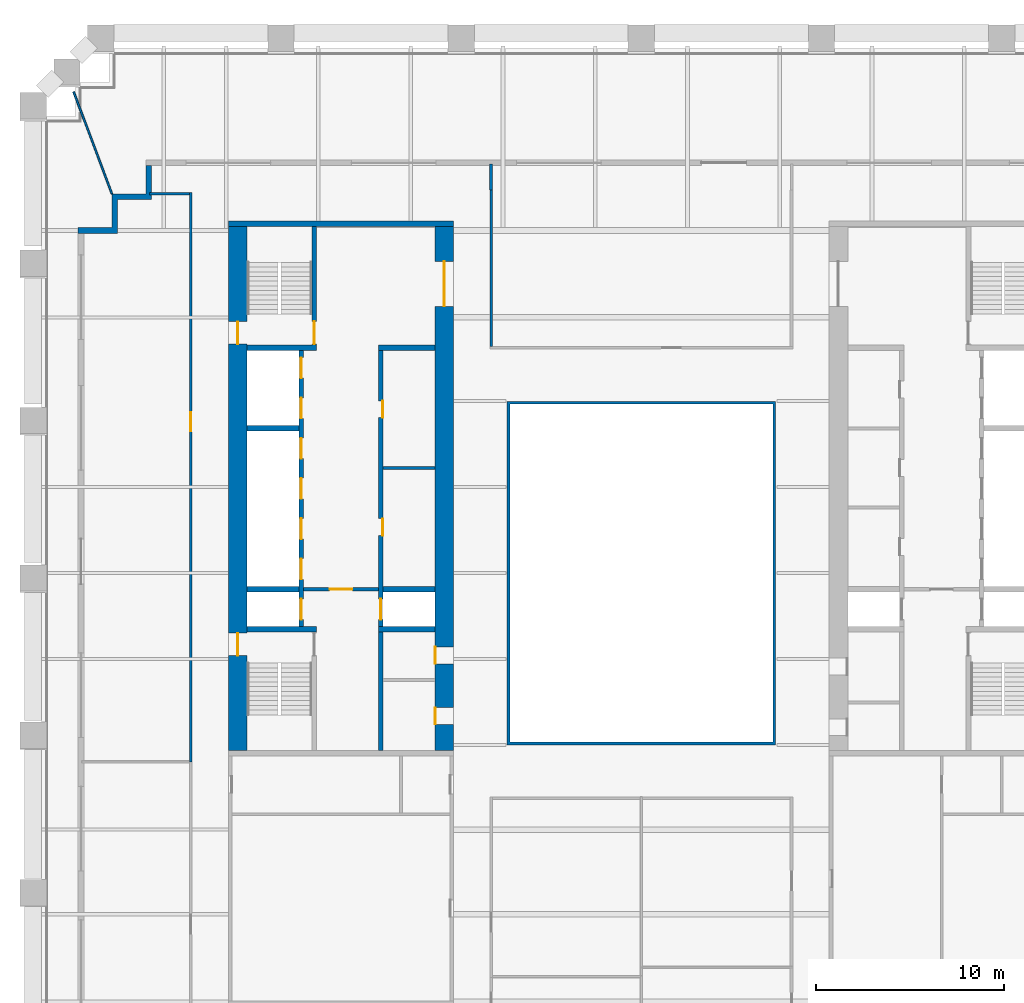
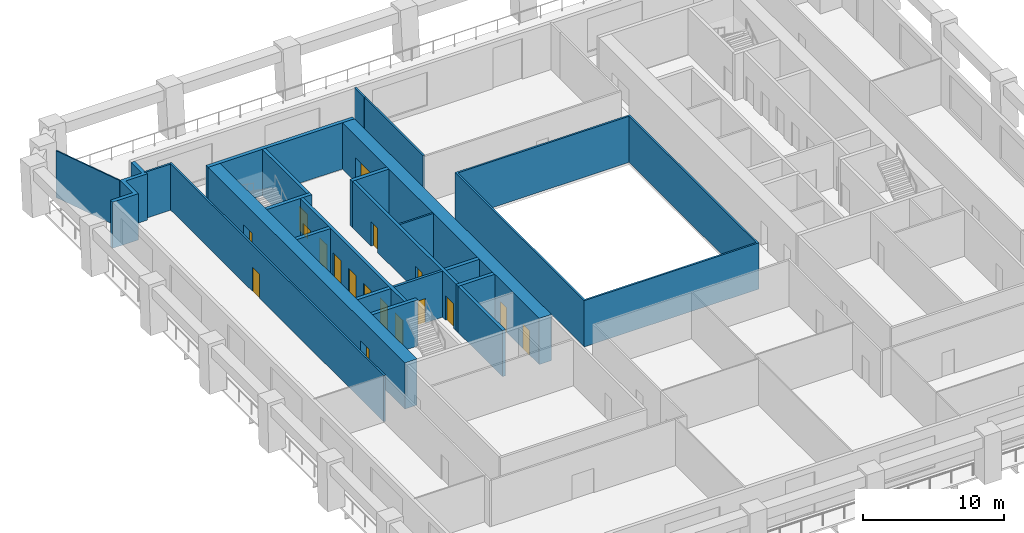
# One storey, part 5 of 8: 22 walls, 18 doors, 18 openings.
"""IFC4 building model written with IfcOpenShell, lengths in metres."""

import ifcopenshell
import ifcopenshell.guid

model = None  # the IFC model being written
_history = None  # IfcOwnerHistory: only IFC2X3 demands one
_inside = {}  # id of a spatial element -> (the spatial element, [elements in it])
_under = {}  # id of a project, library or spatial element -> (it, [spatial elements below it])
_declared = {}  # id of a project -> (the project, [libraries it declares])
_typed = {}  # id of a type object -> (the type object, [elements of that type])
_made_of = {}  # id of a material, layer set ... -> (it, [elements and type objects made of it])


def new_model(schema):
    """Start an empty IFC model of exactly this schema.

    Asked for "IFC4X3", IfcOpenShell would pick the latest addendum, in which some entities
    have other attributes; the version numbers below select the first issue.
    IFC2X3 requires an IfcOwnerHistory on every rooted entity: one is made here for all.
    """
    global model, _history
    if schema == "IFC4X3":
        model = ifcopenshell.file(schema_version=(4, 3, 0, 0))
    else:
        model = ifcopenshell.file(schema=schema)
    _inside.clear()
    _under.clear()
    _declared.clear()
    _typed.clear()
    _made_of.clear()
    _history = None
    if model.schema == "IFC2X3":
        org = make("IfcOrganization", Name="unknown")
        user = make(
            "IfcPersonAndOrganization",
            ThePerson=make("IfcPerson", FamilyName="unknown"),
            TheOrganization=org,
        )
        app = make(
            "IfcApplication",
            ApplicationDeveloper=org,
            Version="unknown",
            ApplicationFullName="unknown",
            ApplicationIdentifier="unknown",
        )
        _history = make(
            "IfcOwnerHistory",
            OwningUser=user,
            OwningApplication=app,
            ChangeAction="ADDED",
            CreationDate=0,
        )
    return model


def make(cls, **values):
    """One entity of the class cls with the attributes given. An attribute that is None is left unset."""
    return model.create_entity(
        cls, **{name: value for name, value in values.items() if value is not None}
    )


def rooted(cls, **values):
    """An entity with a GlobalId (a new one), such as an element, a storey or a relation."""
    return make(cls, GlobalId=ifcopenshell.guid.new(), OwnerHistory=_history, **values)


def si_unit(unit_type, name, prefix=None):
    """IfcSIUnit, for example si_unit("LENGTHUNIT", "METRE", prefix="MILLI")."""
    return make("IfcSIUnit", UnitType=unit_type, Prefix=prefix, Name=name)


def assignment(units):
    """IfcUnitAssignment: the units of a project."""
    return None if units is None else make("IfcUnitAssignment", Units=units)


def point(xyz):
    """IfcCartesianPoint."""
    return None if xyz is None else make("IfcCartesianPoint", Coordinates=xyz)


def direction(xyz):
    """IfcDirection."""
    return None if xyz is None else make("IfcDirection", DirectionRatios=xyz)


def frame(location, z_axis=None, x_axis=None):
    """IfcAxis2Placement3D, a coordinate frame: its origin and axes. An axis left out is left unset."""
    return make(
        "IfcAxis2Placement3D",
        Location=point(location),
        Axis=direction(z_axis),
        RefDirection=direction(x_axis),
    )


def frame_2d(location, x_axis=None):
    """IfcAxis2Placement2D, a coordinate frame in the plane: its origin and x axis."""
    return make(
        "IfcAxis2Placement2D", Location=point(location), RefDirection=direction(x_axis)
    )


def origin():
    """The frame at (0, 0, 0) with its axes left unset."""
    return frame((0.0, 0.0, 0.0))


def place(relative_to, where):
    """IfcLocalPlacement: puts the frame where relative to a parent placement (None: the world)."""
    return make(
        "IfcLocalPlacement", PlacementRelTo=relative_to, RelativePlacement=where
    )


def context(
    kind, dimensions, precision=None, world=None, true_north=None, identifier=None
):
    """IfcGeometricRepresentationContext, for example the 3D "Model" context."""
    return make(
        "IfcGeometricRepresentationContext",
        ContextIdentifier=identifier,
        ContextType=kind,
        CoordinateSpaceDimension=dimensions,
        Precision=precision,
        WorldCoordinateSystem=world,
        TrueNorth=true_north,
    )


def subcontext(parent, identifier, kind, view, scale=None):
    """IfcGeometricRepresentationSubContext, for example "Body" below "Model"."""
    return make(
        "IfcGeometricRepresentationSubContext",
        ContextIdentifier=identifier,
        ContextType=kind,
        ParentContext=parent,
        TargetScale=scale,
        TargetView=view,
    )


def project(units=None, contexts=None):
    """IfcProject with its units and contexts."""
    return rooted(
        "IfcProject",
        Name="project",
        RepresentationContexts=contexts,
        UnitsInContext=assignment(units),
    )


def spatial(cls, under=None, at=None, **own):
    """A site, building, storey or space (cls), placed at a placement, below another one or the project."""
    s = rooted(cls, ObjectPlacement=at, **own)
    if under is not None:
        _under.setdefault(under.id(), (under, []))[1].append(s)
    return s


def polyline(points):
    """IfcPolyline through the points."""
    return make("IfcPolyline", Points=[point(p) for p in points])


def profile(cls, at=None, kind="AREA", **sizes):
    """A parametric profile (cls). Its sizes go by their IFC names, for example OverallWidth=200.0."""
    return make(cls, ProfileType=kind, Position=at, **sizes)


def rectangle(**sizes):
    """IfcRectangleProfileDef."""
    return profile("IfcRectangleProfileDef", **sizes)


def outline(outer, holes=None, kind="AREA"):
    """IfcArbitraryClosedProfileDef: a profile drawn as a closed curve; with holes, ...WithVoids."""
    if holes is None:
        return make("IfcArbitraryClosedProfileDef", ProfileType=kind, OuterCurve=outer)
    return make(
        "IfcArbitraryProfileDefWithVoids",
        ProfileType=kind,
        OuterCurve=outer,
        InnerCurves=holes,
    )


def extrude(swept, where, along, depth):
    """IfcExtrudedAreaSolid: the profile swept, set in the frame where, extruded along a direction by depth."""
    return make(
        "IfcExtrudedAreaSolid",
        SweptArea=swept,
        Position=where,
        ExtrudedDirection=direction(along),
        Depth=depth,
    )


def shape(context_of_items, identifier, shape_type, items):
    """IfcShapeRepresentation: the items that make up one representation, for example the "Body"."""
    return make(
        "IfcShapeRepresentation",
        ContextOfItems=context_of_items,
        RepresentationIdentifier=identifier,
        RepresentationType=shape_type,
        Items=items,
    )


def material(Name=None, Category=None):
    """IfcMaterial."""
    return make("IfcMaterial", Name=Name, Category=Category)


def layer(
    of_material, thickness, ventilated=None, Name=None, Category=None, Priority=None
):
    """IfcMaterialLayer: one layer of a wall or slab, of a material (None: an air gap)."""
    return make(
        "IfcMaterialLayer",
        Material=of_material,
        LayerThickness=thickness,
        IsVentilated=ventilated,
        Name=Name,
        Category=Category,
        Priority=Priority,
    )


def layer_set(layers, Name=None):
    """IfcMaterialLayerSet."""
    return make("IfcMaterialLayerSet", MaterialLayers=layers, LayerSetName=Name)


def made_of(thing, what):
    """Note that an element or type object is made of a material, layer set ...; save() writes the relation."""
    if what is not None:
        _made_of.setdefault(what.id(), (what, []))[1].append(thing)
    return thing


def type_object(cls, material=None, **own):
    """A type object (cls), such as IfcWallType, which elements share."""
    return made_of(rooted(cls, **own), material)


def element(
    cls,
    number,
    at=None,
    inside=None,
    cuts=None,
    type_object=None,
    material=None,
    context=None,
    identifier="Body",
    shape_type=None,
    held_by="IfcProductDefinitionShape",
    body=None,
    shapes=None,
    **own,
):
    """One element of the class cls, such as IfcWall. Its Tag is "e" and its number.

    at: its placement. inside: the storey or other place that contains it. cuts: it is an
    opening in that element (IfcRelVoidsElement). A single representation is given by context,
    identifier, shape_type and body (its items); several are given by shapes. held_by: the class
    of the entity that holds the representations. save() writes the other relations.
    """
    e = rooted(cls, Tag="e%d" % number, ObjectPlacement=at, **own)
    if body is not None:
        shapes = [shape(context, identifier, shape_type, body)]
    if shapes is not None:
        e.Representation = make(held_by, Representations=shapes)
    if inside is not None:
        _inside.setdefault(inside.id(), (inside, []))[1].append(e)
    if cuts is not None:
        rooted(
            "IfcRelVoidsElement", RelatingBuildingElement=cuts, RelatedOpeningElement=e
        )
    if type_object is not None:
        _typed.setdefault(type_object.id(), (type_object, []))[1].append(e)
    return made_of(e, material)


def fill(opening, filler):
    """IfcRelFillsElement: the door or window that sits in an opening."""
    return rooted(
        "IfcRelFillsElement",
        RelatingOpeningElement=opening,
        RelatedBuildingElement=filler,
    )


def aggregate(whole, parts):
    """IfcRelAggregates: a whole, such as a stair, and the parts it consists of."""
    return rooted("IfcRelAggregates", RelatingObject=whole, RelatedObjects=parts)


def save(model, path):
    """Write the relations noted so far, then the file.

    IfcRelAggregates (storeys below a building ...), IfcRelContainedInSpatialStructure (elements
    in a storey), IfcRelDefinesByType, IfcRelAssociatesMaterial and IfcRelDeclares: one each for
    every whole, place, type object, material and project.
    """
    for whole, parts in _under.values():
        aggregate(whole, parts)
    for where, things in _inside.values():
        rooted(
            "IfcRelContainedInSpatialStructure",
            RelatedElements=things,
            RelatingStructure=where,
        )
    for kind, things in _typed.values():
        rooted("IfcRelDefinesByType", RelatedObjects=things, RelatingType=kind)
    for what, things in _made_of.values():
        rooted("IfcRelAssociatesMaterial", RelatedObjects=things, RelatingMaterial=what)
    for by, libraries in _declared.values():
        rooted("IfcRelDeclares", RelatingContext=by, RelatedDefinitions=libraries)
    model.write(path)


model = new_model("IFC4")

# Units and contexts
model_context = context("Model", 3, precision=1e-05, world=origin(), true_north=direction((0.0, 1.0)))
body_context = subcontext(model_context, "Body", "Model", "MODEL_VIEW")
ifc_project = project(units=[si_unit("LENGTHUNIT", "METRE"), si_unit("AREAUNIT", "SQUARE_METRE"), si_unit("VOLUMEUNIT", "CUBIC_METRE"), si_unit("PLANEANGLEUNIT", "RADIAN"), si_unit("MASSUNIT", "GRAM", prefix="KILO")], contexts=[model_context])

# Site, building, storey
site_placement = place(None, origin())
site = spatial("IfcSite", under=ifc_project, at=site_placement, CompositionType="ELEMENT")
building_placement = place(site_placement, origin())
building = spatial("IfcBuilding", under=site, at=building_placement, Name="Ogive Exchange Tower", CompositionType="ELEMENT")
storey_placement = place(building_placement, frame((0.0, 0.0, 77.39990234375)))
storey = spatial("IfcBuildingStorey", under=building, at=storey_placement, Name="L16", CompositionType="ELEMENT", Elevation=77.39990234375)

# Walls
ifc_material_1 = material(Name="Gypsum board partition")
ifc_layer_1 = layer(ifc_material_1, 0.14990234375)
ifc_layer_set_1 = layer_set([ifc_layer_1], Name="Core room partition 150 gypsum")
wall_type_1 = type_object("IfcWallType", Name="Core room partition 150 gypsum", PredefinedType="PARTITIONING", material=ifc_layer_set_1)
wall_1_placement = place(storey_placement, frame((-13.75, 12.60009765625, 0.0), z_axis=(0.0, 0.0, 1.0), x_axis=(1.0, 0.0, 0.0)))
element("IfcWall", 1, at=wall_1_placement, inside=storey, type_object=wall_type_1, Name="W row B bay partition 1-1", PredefinedType="PARTITIONING", context=body_context, shape_type="SweptSolid", body=[
    extrude(rectangle(XDim=2.75, YDim=0.14990234375, at=frame_2d((1.375, 0.0))), origin(), (0.0, 0.0, 1.0), 4.0),
])
ifc_layer_2 = layer(ifc_material_1, 0.300048828125)
ifc_layer_set_2 = layer_set([ifc_layer_2], Name="Core room partition 300 gypsum")
wall_type_2 = type_object("IfcWallType", Name="Core room partition 300 gypsum", PredefinedType="PARTITIONING", material=ifc_layer_set_2)
wall_2_placement = place(storey_placement, frame((-14.0, 19.0, 0.0), z_axis=(0.0, 0.0, 1.0), x_axis=(1.0, 0.0, 0.0)))
element("IfcWall", 2, at=wall_2_placement, inside=storey, type_object=wall_type_2, Name="W row B room end wall 7", PredefinedType="PARTITIONING", context=body_context, shape_type="SweptSolid", body=[
    extrude(rectangle(XDim=3.0, YDim=0.300048828125, at=frame_2d((1.5, 0.0))), origin(), (0.0, 0.0, 1.0), 4.0),
])

# Wall, opening, door
ifc_material_2 = material(Name="Fire partition EI 60 150")
ifc_layer_3 = layer(ifc_material_2, 0.14990234375)
ifc_layer_set_3 = layer_set([ifc_layer_3], Name="Fire partition EI 60 150")
wall_type_3 = type_object("IfcWallType", Name="Fire partition EI 60 150", PredefinedType="PARTITIONING", material=ifc_layer_set_3)
wall_3_placement = place(storey_placement, frame((-24.0, -3.06005859375, 0.0), z_axis=(0.0, 0.0, 1.0), x_axis=(0.0, 1.0, 0.0)))
wall_3 = element("IfcWall", 3, at=wall_3_placement, inside=storey, type_object=wall_type_3, Name="L16-PWL-005", PredefinedType="PARTITIONING", context=body_context, shape_type="SweptSolid", body=[
    extrude(rectangle(XDim=30.344970703125, YDim=0.14990234375, at=frame_2d((15.17236328125, 0.0))), origin(), (0.0, 0.0, 1.0), 4.0),
])
opening_1_placement = place(wall_3_placement, frame((17.6201171875, 0.0, 0.0)))
opening_1 = element("IfcOpeningElement", 4, at=opening_1_placement, cuts=wall_3, Name="Opening L16-I10", PredefinedType="OPENING", context=body_context, shape_type="SweptSolid", body=[
    extrude(rectangle(XDim=1.0, YDim=2.10009765625, at=frame_2d((0.5, 1.050048828125))), frame((0.0, 0.0849609375, 0.0), z_axis=(0.0, -1.0, 0.0), x_axis=(1.0, 0.0, 0.0)), (0.0, 0.0, 1.0), 0.169921875),
])
ifc_material_3 = material(Name="Fire door FD 30S 1000 x 2100")
door_type_1 = type_object("IfcDoorType", Name="Fire door FD 30S 1000 x 2100", OperationType="NOTDEFINED", PredefinedType="DOOR", material=ifc_material_3)
door_1_placement = place(opening_1_placement, origin())
door_1 = element("IfcDoor", 5, at=door_1_placement, inside=storey, type_object=door_type_1, Name="L16-IDR-010", ObjectType="DT3", OperationType="SINGLE_SWING_LEFT", OverallHeight=2.10009765625, OverallWidth=1.0, PredefinedType="DOOR", context=body_context, shape_type="SweptSolid", body=[
    extrude(rectangle(XDim=1.0, YDim=2.10009765625, at=frame_2d((0.5, 1.050048828125))), frame((0.0, 0.02490234375, 0.0), z_axis=(0.0, -1.0, 0.0), x_axis=(1.0, 0.0, 0.0)), (0.0, 0.0, 1.0), 0.050048828125),
])
fill(opening_1, door_1)

# Walls
wall_4_placement = place(storey_placement, frame((-24.074951171875, 27.2099609375, 0.0), z_axis=(0.0, 0.0, 1.0), x_axis=(-1.0, 0.0, 0.0)))
element("IfcWall", 6, at=wall_4_placement, inside=storey, type_object=wall_type_3, Name="L16-PWL-006", PredefinedType="PARTITIONING", context=body_context, shape_type="SweptSolid", body=[
    extrude(rectangle(XDim=2.125, YDim=0.14990234375, at=frame_2d((1.0625, 0.0))), origin(), (0.0, 0.0, 1.0), 4.0),
])
wall_5_placement = place(storey_placement, frame((-8.010009765625, 28.800048828125, 0.0), z_axis=(0.0, 0.0, 1.0), x_axis=(0.0, -1.0, 0.0)))
element("IfcWall", 7, at=wall_5_placement, inside=storey, type_object=wall_type_3, Name="L16-PWL-009", PredefinedType="PARTITIONING", context=body_context, shape_type="SweptSolid", body=[
    extrude(rectangle(XDim=1.400146484375, YDim=0.14990234375, at=frame_2d((0.7001953125, 0.0))), origin(), (0.0, 0.0, 1.0), 4.0),
])
wall_6_placement = place(storey_placement, frame((-8.0, 27.39990234375, 0.0), z_axis=(0.0, 0.0, 1.0), x_axis=(0.0, -1.0, 0.0)))
element("IfcWall", 8, at=wall_6_placement, inside=storey, type_object=wall_type_3, Name="L16-PWL-014", PredefinedType="PARTITIONING", context=body_context, shape_type="SweptSolid", body=[
    extrude(rectangle(XDim=8.324951171875, YDim=0.14990234375, at=frame_2d((4.16259765625, 0.0))), origin(), (0.0, 0.0, 1.0), 4.0),
])
ifc_material_4 = material(Name="Fire-resisting glass in steel frame", Category="steel")
ifc_layer_4 = layer(ifc_material_4, 0.14990234375)
ifc_layer_set_4 = layer_set([ifc_layer_4], Name="Fire-rated glazed wall 150")
wall_type_4 = type_object("IfcWallType", Name="Fire-rated glazed wall 150", PredefinedType="STANDARD", material=ifc_layer_set_4)
wall_7_placement = place(storey_placement, origin())
element("IfcWall", 9, at=wall_7_placement, inside=storey, type_object=wall_type_4, Name="Nave enclosure wall", PredefinedType="STANDARD", context=body_context, shape_type="SweptSolid", body=[
    extrude(outline(polyline([(-7.14990234375, -2.14990234375), (7.14990234375, -2.14990234375), (7.14990234375, 16.14990234375), (-7.14990234375, 16.14990234375), (-7.14990234375, -2.14990234375)]), holes=[polyline([(-7.0, -2.0), (-7.0, 16.0), (7.0, 16.0), (7.0, -2.0), (-7.0, -2.0)])]), origin(), (0.0, 0.0, 1.0), 4.0),
])
ifc_material_5 = material(Name="Precast concrete C40/50", Category="concrete")
ifc_layer_5 = layer(ifc_material_5, 0.300048828125)
ifc_layer_set_5 = layer_set([ifc_layer_5], Name="Limestone-faced wall 300")
wall_type_5 = type_object("IfcWallType", Name="Limestone-faced wall 300", PredefinedType="STANDARD", material=ifc_layer_set_5)
wall_8_placement = place(storey_placement, origin())
element("IfcWall", 10, at=wall_8_placement, inside=storey, type_object=wall_type_5, Name="External corner wall C3", PredefinedType="STANDARD", context=body_context, shape_type="SweptSolid", body=[
    extrude(outline(polyline([(-28.199951171875, 25.39990234375), (-28.199951171875, 27.199951171875), (-26.39990234375, 27.199951171875), (-26.39990234375, 28.699951171875), (-26.10009765625, 28.699951171875), (-26.10009765625, 26.89990234375), (-27.89990234375, 26.89990234375), (-27.89990234375, 25.10009765625), (-30.0, 25.10009765625), (-30.0, 25.39990234375), (-28.199951171875, 25.39990234375)])), origin(), (0.0, 0.0, 1.0), 4.0),
])
ifc_material_6 = material(Name="Laminated safety glass in steel frame", Category="steel")
ifc_layer_6 = layer(ifc_material_6, 0.10009765625)
ifc_layer_set_6 = layer_set([ifc_layer_6], Name="Loggia end screen 100")
wall_type_6 = type_object("IfcWallType", Name="Loggia end screen 100", PredefinedType="STANDARD", material=ifc_layer_set_6)
wall_9_placement = place(storey_placement, frame((-28.199951171875, 27.199951171875, -0.0498046875), z_axis=(0.0, 0.0, 1.0), x_axis=(-0.351989298561, 0.936004024403, 0.0)))
element("IfcWall", 11, at=wall_9_placement, inside=storey, type_object=wall_type_6, Name="Loggia end screen C3", PredefinedType="STANDARD", context=body_context, shape_type="SweptSolid", body=[
    extrude(rectangle(XDim=5.80810546875, YDim=0.10009765625, at=frame_2d((2.904052734375, 0.0))), origin(), (0.0, 0.0, 1.0), 4.0498046875),
])

# Wall, openings, doors
ifc_material_7 = material(Name="Concrete C70/85", Category="concrete")
ifc_layer_7 = layer(ifc_material_7, 1.0)
ifc_layer_set_7 = layer_set([ifc_layer_7], Name="RC core wall 1000 C70/85")
wall_type_7 = type_object("IfcWallType", Name="RC core wall 1000 C70/85", PredefinedType="SHEAR", material=ifc_layer_set_7)
wall_10_placement = place(storey_placement, frame((-21.5, -2.449951171875, 0.0), z_axis=(0.0, 0.0, 1.0), x_axis=(0.0, 1.0, 0.0)))
wall_10 = element("IfcWall", 12, at=wall_10_placement, inside=storey, type_object=wall_type_7, Name="W outer wall", PredefinedType="SHEAR", context=body_context, shape_type="SweptSolid", body=[
    extrude(rectangle(XDim=27.89990234375, YDim=1.0, at=frame_2d((13.949951171875, 0.0))), origin(), (0.0, 0.0, 1.0), 4.0),
])
opening_2_placement = place(wall_10_placement, frame((5.050048828125, 0.0, 0.0)))
opening_2 = element("IfcOpeningElement", 13, at=opening_2_placement, cuts=wall_10, Name="Opening L16-C14", PredefinedType="OPENING", context=body_context, shape_type="SweptSolid", body=[
    extrude(rectangle(XDim=1.199951171875, YDim=2.10009765625, at=frame_2d((0.60009765625, 1.050048828125))), frame((0.0, 0.510009765625, 0.0), z_axis=(0.0, -1.0, 0.0), x_axis=(1.0, 0.0, 0.0)), (0.0, 0.0, 1.0), 1.02001953125),
])
opening_3_placement = place(wall_10_placement, frame((21.64990234375, 0.0, 0.0)))
opening_3 = element("IfcOpeningElement", 14, at=opening_3_placement, cuts=wall_10, Name="Opening L16-C16", PredefinedType="OPENING", context=body_context, shape_type="SweptSolid", body=[
    extrude(rectangle(XDim=1.199951171875, YDim=2.10009765625, at=frame_2d((0.60009765625, 1.050048828125))), frame((0.0, 0.510009765625, 0.0), z_axis=(0.0, -1.0, 0.0), x_axis=(1.0, 0.0, 0.0)), (0.0, 0.0, 1.0), 1.02001953125),
])
ifc_material_8 = material(Name="Steel fire door", Category="steel")
door_type_2 = type_object("IfcDoorType", Name="Stair door FD90 1200 x 2100", OperationType="NOTDEFINED", PredefinedType="DOOR", material=ifc_material_8)
door_2_placement = place(opening_2_placement, frame((1.199951171875, 0.0, 0.0), z_axis=(0.0, 0.0, 1.0), x_axis=(-1.0, 0.0, 0.0)))
door_2 = element("IfcDoor", 15, at=door_2_placement, inside=storey, type_object=door_type_2, Name="Stair door", ObjectType="CD5", OperationType="SINGLE_SWING_RIGHT", OverallHeight=2.10009765625, OverallWidth=1.199951171875, PredefinedType="DOOR", context=body_context, shape_type="SweptSolid", body=[
    extrude(rectangle(XDim=1.199951171875, YDim=2.10009765625, at=frame_2d((0.60009765625, 1.050048828125))), frame((0.0, 0.02490234375, 0.0), z_axis=(0.0, -1.0, 0.0), x_axis=(1.0, 0.0, 0.0)), (0.0, 0.0, 1.0), 0.050048828125),
])
fill(opening_2, door_2)
door_3_placement = place(opening_3_placement, frame((1.199951171875, 0.0, 0.0), z_axis=(0.0, 0.0, 1.0), x_axis=(-1.0, 0.0, 0.0)))
door_3 = element("IfcDoor", 16, at=door_3_placement, inside=storey, type_object=door_type_2, Name="Stair door", ObjectType="CD5", OperationType="SINGLE_SWING_LEFT", OverallHeight=2.10009765625, OverallWidth=1.199951171875, PredefinedType="DOOR", context=body_context, shape_type="SweptSolid", body=[
    extrude(rectangle(XDim=1.199951171875, YDim=2.10009765625, at=frame_2d((0.60009765625, 1.050048828125))), frame((0.0, 0.02490234375, 0.0), z_axis=(0.0, -1.0, 0.0), x_axis=(1.0, 0.0, 0.0)), (0.0, 0.0, 1.0), 0.050048828125),
])
fill(opening_3, door_3)

wall_11_placement = place(storey_placement, frame((-10.5, -2.449951171875, 0.0), z_axis=(0.0, 0.0, 1.0), x_axis=(0.0, 1.0, 0.0)))
wall_11 = element("IfcWall", 17, at=wall_11_placement, inside=storey, type_object=wall_type_7, Name="W inner wall", PredefinedType="SHEAR", context=body_context, shape_type="SweptSolid", body=[
    extrude(rectangle(XDim=27.89990234375, YDim=1.0, at=frame_2d((13.949951171875, 0.0))), origin(), (0.0, 0.0, 1.0), 4.0),
])
opening_4_placement = place(wall_11_placement, frame((23.64990234375, 0.0, 0.0)))
opening_4 = element("IfcOpeningElement", 18, at=opening_4_placement, cuts=wall_11, Name="Opening L16-C12", PredefinedType="OPENING", context=body_context, shape_type="SweptSolid", body=[
    extrude(rectangle(XDim=2.39990234375, YDim=2.10009765625, at=frame_2d((1.199951171875, 1.050048828125))), frame((0.0, 0.510009765625, 0.0), z_axis=(0.0, -1.0, 0.0), x_axis=(1.0, 0.0, 0.0)), (0.0, 0.0, 1.0), 1.02001953125),
])
opening_5_placement = place(wall_11_placement, frame((1.387451171875, 0.0, 0.0)))
opening_5 = element("IfcOpeningElement", 19, at=opening_5_placement, cuts=wall_11, Name="Opening L16-C17", PredefinedType="OPENING", context=body_context, shape_type="SweptSolid", body=[
    extrude(rectangle(XDim=0.89990234375, YDim=2.10009765625, at=frame_2d((0.449951171875, 1.050048828125))), frame((0.0, 0.510009765625, 0.0), z_axis=(0.0, -1.0, 0.0), x_axis=(1.0, 0.0, 0.0)), (0.0, 0.0, 1.0), 1.02001953125),
])
opening_6_placement = place(wall_11_placement, frame((4.612548828125, 0.0, 0.0)))
opening_6 = element("IfcOpeningElement", 20, at=opening_6_placement, cuts=wall_11, Name="Opening L16-C18", PredefinedType="OPENING", context=body_context, shape_type="SweptSolid", body=[
    extrude(rectangle(XDim=0.89990234375, YDim=2.10009765625, at=frame_2d((0.449951171875, 1.050048828125))), frame((0.0, 0.510009765625, 0.0), z_axis=(0.0, -1.0, 0.0), x_axis=(1.0, 0.0, 0.0)), (0.0, 0.0, 1.0), 1.02001953125),
])
ifc_material_9 = material(Name="Timber fire door", Category="wood")
door_type_3 = type_object("IfcDoorType", Name="Core room door FD30S 900 x 2100", OperationType="NOTDEFINED", PredefinedType="DOOR", material=ifc_material_9)
door_4_placement = place(opening_5_placement, origin())
door_4 = element("IfcDoor", 21, at=door_4_placement, inside=storey, type_object=door_type_3, Name="Core room door", ObjectType="CD6", OperationType="SINGLE_SWING_RIGHT", OverallHeight=2.10009765625, OverallWidth=0.89990234375, PredefinedType="DOOR", context=body_context, shape_type="SweptSolid", body=[
    extrude(rectangle(XDim=0.89990234375, YDim=2.10009765625, at=frame_2d((0.449951171875, 1.050048828125))), frame((0.0, 0.5, 0.0), z_axis=(0.0, -1.0, 0.0), x_axis=(1.0, 0.0, 0.0)), (0.0, 0.0, 1.0), 0.050048828125),
])
fill(opening_5, door_4)
ifc_material_10 = material(Name="Glazed steel fire door", Category="steel")
door_type_4 = type_object("IfcDoorType", Name="Lift lobby double door FD60 2400 x 2100", OperationType="DOUBLE_DOOR_SINGLE_SWING", PredefinedType="DOOR", material=ifc_material_10)
door_5_placement = place(opening_4_placement, origin())
door_5 = element("IfcDoor", 22, at=door_5_placement, inside=storey, type_object=door_type_4, Name="Lift lobby double door", ObjectType="CD4", OperationType="DOUBLE_DOOR_SINGLE_SWING", OverallHeight=2.10009765625, OverallWidth=2.39990234375, PredefinedType="DOOR", context=body_context, shape_type="SweptSolid", body=[
    extrude(rectangle(XDim=2.39990234375, YDim=2.10009765625, at=frame_2d((1.199951171875, 1.050048828125))), frame((0.0, 0.02490234375, 0.0), z_axis=(0.0, -1.0, 0.0), x_axis=(1.0, 0.0, 0.0)), (0.0, 0.0, 1.0), 0.050048828125),
])
fill(opening_4, door_5)
door_type_5 = type_object("IfcDoorType", Name="Riser door FD60 900 x 2100", OperationType="NOTDEFINED", PredefinedType="DOOR", material=ifc_material_8)
door_6_placement = place(opening_6_placement, origin())
door_6 = element("IfcDoor", 23, at=door_6_placement, inside=storey, type_object=door_type_5, Name="Riser door", ObjectType="CD2", OperationType="SINGLE_SWING_LEFT", OverallHeight=2.10009765625, OverallWidth=0.89990234375, PredefinedType="DOOR", context=body_context, shape_type="SweptSolid", body=[
    extrude(rectangle(XDim=0.89990234375, YDim=2.10009765625, at=frame_2d((0.449951171875, 1.050048828125))), frame((0.0, 0.5, 0.0), z_axis=(0.0, -1.0, 0.0), x_axis=(1.0, 0.0, 0.0)), (0.0, 0.0, 1.0), 0.050048828125),
])
fill(opening_6, door_6)

# Wall, opening, door
ifc_layer_8 = layer(ifc_material_7, 0.199951171875)
ifc_layer_set_8 = layer_set([ifc_layer_8], Name="RC core wall 200 C70/85")
wall_type_8 = type_object("IfcWallType", Name="RC core wall 200 C70/85", PredefinedType="SHEAR", material=ifc_layer_set_8)
wall_12_placement = place(storey_placement, frame((-18.0, 6.142822265625, 0.0), z_axis=(0.0, 0.0, 1.0), x_axis=(1.0, 0.0, 0.0)))
wall_12 = element("IfcWall", 24, at=wall_12_placement, inside=storey, type_object=wall_type_8, Name="W firefighting lobby wall", PredefinedType="SHEAR", context=body_context, shape_type="SweptSolid", body=[
    extrude(rectangle(XDim=4.0, YDim=0.199951171875, at=frame_2d((2.0, 0.0))), origin(), (0.0, 0.0, 1.0), 4.0),
])
opening_7_placement = place(wall_12_placement, frame((1.39990234375, 0.0, 0.0)))
opening_7 = element("IfcOpeningElement", 25, at=opening_7_placement, cuts=wall_12, Name="Opening L16-C11", PredefinedType="OPENING", context=body_context, shape_type="SweptSolid", body=[
    extrude(rectangle(XDim=1.199951171875, YDim=2.10009765625, at=frame_2d((0.60009765625, 1.050048828125))), frame((0.0, 0.10986328125, 0.0), z_axis=(0.0, -1.0, 0.0), x_axis=(1.0, 0.0, 0.0)), (0.0, 0.0, 1.0), 0.219970703125),
])
door_type_6 = type_object("IfcDoorType", Name="Firefighting lobby door FD60 1200 x 2100", OperationType="NOTDEFINED", PredefinedType="DOOR", material=ifc_material_8)
door_7_placement = place(opening_7_placement, frame((1.199951171875, 0.0, 0.0), z_axis=(0.0, 0.0, 1.0), x_axis=(-1.0, 0.0, 0.0)))
door_7 = element("IfcDoor", 26, at=door_7_placement, inside=storey, type_object=door_type_6, Name="Firefighting lobby door", ObjectType="CD3", OperationType="SINGLE_SWING_RIGHT", OverallHeight=2.10009765625, OverallWidth=1.199951171875, PredefinedType="DOOR", context=body_context, shape_type="SweptSolid", body=[
    extrude(rectangle(XDim=1.199951171875, YDim=2.10009765625, at=frame_2d((0.60009765625, 1.050048828125))), frame((0.0, 0.02490234375, 0.0), z_axis=(0.0, -1.0, 0.0), x_axis=(1.0, 0.0, 0.0)), (0.0, 0.0, 1.0), 0.050048828125),
])
fill(opening_7, door_7)

ifc_layer_9 = layer(ifc_material_7, 0.25)
ifc_layer_set_9 = layer_set([ifc_layer_9], Name="RC core wall 250 C70/85")
wall_type_9 = type_object("IfcWallType", Name="RC core wall 250 C70/85", PredefinedType="SHEAR", material=ifc_layer_set_9)
wall_13_placement = place(storey_placement, frame((-17.425048828125, 19.14990234375, 0.0), z_axis=(0.0, 0.0, 1.0), x_axis=(0.0, 1.0, 0.0)))
wall_13 = element("IfcWall", 27, at=wall_13_placement, inside=storey, type_object=wall_type_9, Name="W stair N front wall", PredefinedType="SHEAR", context=body_context, shape_type="SweptSolid", body=[
    extrude(rectangle(XDim=6.300048828125, YDim=0.25, at=frame_2d((3.14990234375, 0.0))), origin(), (0.0, 0.0, 1.0), 4.0),
])
opening_8_placement = place(wall_13_placement, frame((0.050048828125, 0.0, 0.0)))
opening_8 = element("IfcOpeningElement", 28, at=opening_8_placement, cuts=wall_13, Name="Opening L16-C15", PredefinedType="OPENING", context=body_context, shape_type="SweptSolid", body=[
    extrude(rectangle(XDim=1.199951171875, YDim=2.10009765625, at=frame_2d((0.60009765625, 1.050048828125))), frame((0.0, 0.135009765625, 0.0), z_axis=(0.0, -1.0, 0.0), x_axis=(1.0, 0.0, 0.0)), (0.0, 0.0, 1.0), 0.27001953125),
])
door_8_placement = place(opening_8_placement, origin())
door_8 = element("IfcDoor", 29, at=door_8_placement, inside=storey, type_object=door_type_2, Name="Stair door", ObjectType="CD5", OperationType="SINGLE_SWING_RIGHT", OverallHeight=2.10009765625, OverallWidth=1.199951171875, PredefinedType="DOOR", context=body_context, shape_type="SweptSolid", body=[
    extrude(rectangle(XDim=1.199951171875, YDim=2.10009765625, at=frame_2d((0.60009765625, 1.050048828125))), frame((0.0, 0.02490234375, 0.0), z_axis=(0.0, -1.0, 0.0), x_axis=(1.0, 0.0, 0.0)), (0.0, 0.0, 1.0), 0.050048828125),
])
fill(opening_8, door_8)

# Wall, openings, doors
wall_14_placement = place(storey_placement, frame((-18.125, 4.14990234375, 0.0), z_axis=(0.0, 0.0, 1.0), x_axis=(0.0, 1.0, 0.0)))
wall_14 = element("IfcWall", 30, at=wall_14_placement, inside=storey, type_object=wall_type_9, Name="W row A front wall", PredefinedType="SHEAR", context=body_context, shape_type="SweptSolid", body=[
    extrude(rectangle(XDim=14.7001953125, YDim=0.25, at=frame_2d((7.35009765625, 0.0))), origin(), (0.0, 0.0, 1.0), 4.0),
])
opening_9_placement = place(wall_14_placement, frame((0.371337890625, 0.0, 0.0)))
opening_9 = element("IfcOpeningElement", 31, at=opening_9_placement, cuts=wall_14, Name="Opening L16-C01", PredefinedType="OPENING", context=body_context, shape_type="SweptSolid", body=[
    extrude(rectangle(XDim=1.10009765625, YDim=2.10009765625, at=frame_2d((0.550048828125, 1.050048828125))), frame((0.0, 0.135009765625, 0.0), z_axis=(0.0, -1.0, 0.0), x_axis=(1.0, 0.0, 0.0)), (0.0, 0.0, 1.0), 0.27001953125),
])
opening_10_placement = place(wall_14_placement, frame((2.514404296875, 0.0, 0.0)))
opening_10 = element("IfcOpeningElement", 32, at=opening_10_placement, cuts=wall_14, Name="Opening L16-C02", PredefinedType="OPENING", context=body_context, shape_type="SweptSolid", body=[
    extrude(rectangle(XDim=1.10009765625, YDim=2.10009765625, at=frame_2d((0.550048828125, 1.050048828125))), frame((0.0, 0.135009765625, 0.0), z_axis=(0.0, -1.0, 0.0), x_axis=(1.0, 0.0, 0.0)), (0.0, 0.0, 1.0), 0.27001953125),
])
opening_11_placement = place(wall_14_placement, frame((4.656982421875, 0.0, 0.0)))
opening_11 = element("IfcOpeningElement", 33, at=opening_11_placement, cuts=wall_14, Name="Opening L16-C03", PredefinedType="OPENING", context=body_context, shape_type="SweptSolid", body=[
    extrude(rectangle(XDim=1.10009765625, YDim=2.10009765625, at=frame_2d((0.550048828125, 1.050048828125))), frame((0.0, 0.135009765625, 0.0), z_axis=(0.0, -1.0, 0.0), x_axis=(1.0, 0.0, 0.0)), (0.0, 0.0, 1.0), 0.27001953125),
])
opening_12_placement = place(wall_14_placement, frame((6.800048828125, 0.0, 0.0)))
opening_12 = element("IfcOpeningElement", 34, at=opening_12_placement, cuts=wall_14, Name="Opening L16-C04", PredefinedType="OPENING", context=body_context, shape_type="SweptSolid", body=[
    extrude(rectangle(XDim=1.10009765625, YDim=2.10009765625, at=frame_2d((0.550048828125, 1.050048828125))), frame((0.0, 0.135009765625, 0.0), z_axis=(0.0, -1.0, 0.0), x_axis=(1.0, 0.0, 0.0)), (0.0, 0.0, 1.0), 0.27001953125),
])
opening_13_placement = place(wall_14_placement, frame((8.94287109375, 0.0, 0.0)))
opening_13 = element("IfcOpeningElement", 35, at=opening_13_placement, cuts=wall_14, Name="Opening L16-C05", PredefinedType="OPENING", context=body_context, shape_type="SweptSolid", body=[
    extrude(rectangle(XDim=1.10009765625, YDim=2.10009765625, at=frame_2d((0.550048828125, 1.050048828125))), frame((0.0, 0.135009765625, 0.0), z_axis=(0.0, -1.0, 0.0), x_axis=(1.0, 0.0, 0.0)), (0.0, 0.0, 1.0), 0.27001953125),
])
opening_14_placement = place(wall_14_placement, frame((11.085693359375, 0.0, 0.0)))
opening_14 = element("IfcOpeningElement", 36, at=opening_14_placement, cuts=wall_14, Name="Opening L16-C06", PredefinedType="OPENING", context=body_context, shape_type="SweptSolid", body=[
    extrude(rectangle(XDim=1.10009765625, YDim=2.10009765625, at=frame_2d((0.550048828125, 1.050048828125))), frame((0.0, 0.135009765625, 0.0), z_axis=(0.0, -1.0, 0.0), x_axis=(1.0, 0.0, 0.0)), (0.0, 0.0, 1.0), 0.27001953125),
])
opening_15_placement = place(wall_14_placement, frame((13.228515625, 0.0, 0.0)))
opening_15 = element("IfcOpeningElement", 37, at=opening_15_placement, cuts=wall_14, Name="Opening L16-C07", PredefinedType="OPENING", context=body_context, shape_type="SweptSolid", body=[
    extrude(rectangle(XDim=1.10009765625, YDim=2.10009765625, at=frame_2d((0.550048828125, 1.050048828125))), frame((0.0, 0.135009765625, 0.0), z_axis=(0.0, -1.0, 0.0), x_axis=(1.0, 0.0, 0.0)), (0.0, 0.0, 1.0), 0.27001953125),
])
ifc_material_11 = material(Name="Stainless steel", Category="steel")
door_type_7 = type_object("IfcDoorType", Name="Lift landing door FD90 1100 x 2100", OperationType="SLIDING_TO_LEFT", PredefinedType="DOOR", material=ifc_material_11)
door_9_placement = place(opening_9_placement, origin())
door_9 = element("IfcDoor", 38, at=door_9_placement, inside=storey, type_object=door_type_7, Name="Lift landing door FF1", ObjectType="LD", OperationType="SLIDING_TO_LEFT", OverallHeight=2.10009765625, OverallWidth=1.10009765625, PredefinedType="DOOR", context=body_context, shape_type="SweptSolid", body=[
    extrude(rectangle(XDim=1.10009765625, YDim=2.10009765625, at=frame_2d((0.550048828125, 1.050048828125))), frame((0.0, 0.02490234375, 0.0), z_axis=(0.0, -1.0, 0.0), x_axis=(1.0, 0.0, 0.0)), (0.0, 0.0, 1.0), 0.050048828125),
])
fill(opening_9, door_9)
door_10_placement = place(opening_10_placement, origin())
door_10 = element("IfcDoor", 39, at=door_10_placement, inside=storey, type_object=door_type_7, Name="Lift landing door W-L1", ObjectType="LD", OperationType="SLIDING_TO_LEFT", OverallHeight=2.10009765625, OverallWidth=1.10009765625, PredefinedType="DOOR", context=body_context, shape_type="SweptSolid", body=[
    extrude(rectangle(XDim=1.10009765625, YDim=2.10009765625, at=frame_2d((0.550048828125, 1.050048828125))), frame((0.0, 0.02490234375, 0.0), z_axis=(0.0, -1.0, 0.0), x_axis=(1.0, 0.0, 0.0)), (0.0, 0.0, 1.0), 0.050048828125),
])
fill(opening_10, door_10)
door_11_placement = place(opening_11_placement, origin())
door_11 = element("IfcDoor", 40, at=door_11_placement, inside=storey, type_object=door_type_7, Name="Lift landing door W-L2", ObjectType="LD", OperationType="SLIDING_TO_LEFT", OverallHeight=2.10009765625, OverallWidth=1.10009765625, PredefinedType="DOOR", context=body_context, shape_type="SweptSolid", body=[
    extrude(rectangle(XDim=1.10009765625, YDim=2.10009765625, at=frame_2d((0.550048828125, 1.050048828125))), frame((0.0, 0.02490234375, 0.0), z_axis=(0.0, -1.0, 0.0), x_axis=(1.0, 0.0, 0.0)), (0.0, 0.0, 1.0), 0.050048828125),
])
fill(opening_11, door_11)
door_12_placement = place(opening_12_placement, origin())
door_12 = element("IfcDoor", 41, at=door_12_placement, inside=storey, type_object=door_type_7, Name="Lift landing door W-L3", ObjectType="LD", OperationType="SLIDING_TO_LEFT", OverallHeight=2.10009765625, OverallWidth=1.10009765625, PredefinedType="DOOR", context=body_context, shape_type="SweptSolid", body=[
    extrude(rectangle(XDim=1.10009765625, YDim=2.10009765625, at=frame_2d((0.550048828125, 1.050048828125))), frame((0.0, 0.02490234375, 0.0), z_axis=(0.0, -1.0, 0.0), x_axis=(1.0, 0.0, 0.0)), (0.0, 0.0, 1.0), 0.050048828125),
])
fill(opening_12, door_12)
door_13_placement = place(opening_13_placement, origin())
door_13 = element("IfcDoor", 42, at=door_13_placement, inside=storey, type_object=door_type_7, Name="Lift landing door W-L4", ObjectType="LD", OperationType="SLIDING_TO_LEFT", OverallHeight=2.10009765625, OverallWidth=1.10009765625, PredefinedType="DOOR", context=body_context, shape_type="SweptSolid", body=[
    extrude(rectangle(XDim=1.10009765625, YDim=2.10009765625, at=frame_2d((0.550048828125, 1.050048828125))), frame((0.0, 0.02490234375, 0.0), z_axis=(0.0, -1.0, 0.0), x_axis=(1.0, 0.0, 0.0)), (0.0, 0.0, 1.0), 0.050048828125),
])
fill(opening_13, door_13)
door_14_placement = place(opening_14_placement, origin())
door_14 = element("IfcDoor", 43, at=door_14_placement, inside=storey, type_object=door_type_7, Name="Lift landing door W-SH1", ObjectType="LD", OperationType="SLIDING_TO_LEFT", OverallHeight=2.10009765625, OverallWidth=1.10009765625, PredefinedType="DOOR", context=body_context, shape_type="SweptSolid", body=[
    extrude(rectangle(XDim=1.10009765625, YDim=2.10009765625, at=frame_2d((0.550048828125, 1.050048828125))), frame((0.0, 0.02490234375, 0.0), z_axis=(0.0, -1.0, 0.0), x_axis=(1.0, 0.0, 0.0)), (0.0, 0.0, 1.0), 0.050048828125),
])
fill(opening_14, door_14)
door_15_placement = place(opening_15_placement, origin())
door_15 = element("IfcDoor", 44, at=door_15_placement, inside=storey, type_object=door_type_7, Name="Lift landing door W-SH2", ObjectType="LD", OperationType="SLIDING_TO_LEFT", OverallHeight=2.10009765625, OverallWidth=1.10009765625, PredefinedType="DOOR", context=body_context, shape_type="SweptSolid", body=[
    extrude(rectangle(XDim=1.10009765625, YDim=2.10009765625, at=frame_2d((0.550048828125, 1.050048828125))), frame((0.0, 0.02490234375, 0.0), z_axis=(0.0, -1.0, 0.0), x_axis=(1.0, 0.0, 0.0)), (0.0, 0.0, 1.0), 0.050048828125),
])
fill(opening_15, door_15)

wall_15_placement = place(storey_placement, frame((-13.875, -2.449951171875, 0.0), z_axis=(0.0, 0.0, 1.0), x_axis=(0.0, 1.0, 0.0)))
wall_15 = element("IfcWall", 45, at=wall_15_placement, inside=storey, type_object=wall_type_9, Name="W row B front wall", PredefinedType="SHEAR", context=body_context, shape_type="SweptSolid", body=[
    extrude(rectangle(XDim=21.300048828125, YDim=0.25, at=frame_2d((10.64990234375, 0.0))), origin(), (0.0, 0.0, 1.0), 4.0),
])
opening_16_placement = place(wall_15_placement, frame((11.4462890625, 0.0, 0.0)))
opening_16 = element("IfcOpeningElement", 46, at=opening_16_placement, cuts=wall_15, Name="Opening L16-C08", PredefinedType="OPENING", context=body_context, shape_type="SweptSolid", body=[
    extrude(rectangle(XDim=0.89990234375, YDim=2.10009765625, at=frame_2d((0.449951171875, 1.050048828125))), frame((0.0, 0.135009765625, 0.0), z_axis=(0.0, -1.0, 0.0), x_axis=(1.0, 0.0, 0.0)), (0.0, 0.0, 1.0), 0.27001953125),
])
opening_17_placement = place(wall_15_placement, frame((17.72509765625, 0.0, 0.0)))
opening_17 = element("IfcOpeningElement", 47, at=opening_17_placement, cuts=wall_15, Name="Opening L16-C09", PredefinedType="OPENING", context=body_context, shape_type="SweptSolid", body=[
    extrude(rectangle(XDim=0.89990234375, YDim=2.10009765625, at=frame_2d((0.449951171875, 1.050048828125))), frame((0.0, 0.135009765625, 0.0), z_axis=(0.0, -1.0, 0.0), x_axis=(1.0, 0.0, 0.0)), (0.0, 0.0, 1.0), 0.27001953125),
])
opening_18_placement = place(wall_15_placement, frame((6.971435546875, 0.0, 0.0)))
opening_18 = element("IfcOpeningElement", 48, at=opening_18_placement, cuts=wall_15, Name="Opening L16-C10", PredefinedType="OPENING", context=body_context, shape_type="SweptSolid", body=[
    extrude(rectangle(XDim=1.10009765625, YDim=2.10009765625, at=frame_2d((0.550048828125, 1.050048828125))), frame((0.0, 0.135009765625, 0.0), z_axis=(0.0, -1.0, 0.0), x_axis=(1.0, 0.0, 0.0)), (0.0, 0.0, 1.0), 0.27001953125),
])
door_16_placement = place(opening_18_placement, origin())
door_16 = element("IfcDoor", 49, at=door_16_placement, inside=storey, type_object=door_type_7, Name="Lift landing door SV1", ObjectType="LD", OperationType="SLIDING_TO_LEFT", OverallHeight=2.10009765625, OverallWidth=1.10009765625, PredefinedType="DOOR", context=body_context, shape_type="SweptSolid", body=[
    extrude(rectangle(XDim=1.10009765625, YDim=2.10009765625, at=frame_2d((0.550048828125, 1.050048828125))), frame((0.0, 0.02490234375, 0.0), z_axis=(0.0, -1.0, 0.0), x_axis=(1.0, 0.0, 0.0)), (0.0, 0.0, 1.0), 0.050048828125),
])
fill(opening_18, door_16)
door_17_placement = place(opening_16_placement, frame((0.89990234375, -0.2001953125, 0.0), z_axis=(0.0, 0.0, 1.0), x_axis=(-1.0, 0.0, 0.0)))
door_17 = element("IfcDoor", 50, at=door_17_placement, inside=storey, type_object=door_type_5, Name="Riser door", ObjectType="CD2", OperationType="SINGLE_SWING_LEFT", OverallHeight=2.10009765625, OverallWidth=0.89990234375, PredefinedType="DOOR", context=body_context, shape_type="SweptSolid", body=[
    extrude(rectangle(XDim=0.89990234375, YDim=2.10009765625, at=frame_2d((0.449951171875, 1.050048828125))), frame((0.0, -0.0751953125, 0.0), z_axis=(0.0, -1.0, 0.0), x_axis=(1.0, 0.0, 0.0)), (0.0, 0.0, 1.0), 0.050048828125),
])
fill(opening_16, door_17)
door_18_placement = place(opening_17_placement, frame((0.89990234375, -0.2001953125, 0.0), z_axis=(0.0, 0.0, 1.0), x_axis=(-1.0, 0.0, 0.0)))
door_18 = element("IfcDoor", 51, at=door_18_placement, inside=storey, type_object=door_type_5, Name="Riser door", ObjectType="CD2", OperationType="SINGLE_SWING_LEFT", OverallHeight=2.10009765625, OverallWidth=0.89990234375, PredefinedType="DOOR", context=body_context, shape_type="SweptSolid", body=[
    extrude(rectangle(XDim=0.89990234375, YDim=2.10009765625, at=frame_2d((0.449951171875, 1.050048828125))), frame((0.0, -0.0751953125, 0.0), z_axis=(0.0, -1.0, 0.0), x_axis=(1.0, 0.0, 0.0)), (0.0, 0.0, 1.0), 0.050048828125),
])
fill(opening_17, door_18)

# Walls
ifc_layer_10 = layer(ifc_material_7, 0.300048828125)
ifc_layer_set_10 = layer_set([ifc_layer_10], Name="RC core wall 300 C70/85")
wall_type_10 = type_object("IfcWallType", Name="RC core wall 300 C70/85", PredefinedType="SHEAR", material=ifc_layer_set_10)
wall_16_placement = place(storey_placement, frame((-22.0, 25.60009765625, 0.0), z_axis=(0.0, 0.0, 1.0), x_axis=(1.0, 0.0, 0.0)))
element("IfcWall", 52, at=wall_16_placement, inside=storey, type_object=wall_type_10, Name="W north end wall", PredefinedType="SHEAR", context=body_context, shape_type="SweptSolid", body=[
    extrude(rectangle(XDim=12.0, YDim=0.300048828125, at=frame_2d((6.0, 0.0))), origin(), (0.0, 0.0, 1.0), 4.0),
])
for number, where, z_axis, x_axis, name in (
    (53, (-21.0, 4.0, 0.0), (0.0, 0.0, 1.0), (1.0, 0.0, 0.0), "W stair S north wall"),
    (54, (-21.0, 19.0, 0.0), (0.0, 0.0, 1.0), (1.0, 0.0, 0.0), "W stair N south wall"),
):
    element("IfcWall", number, at=place(storey_placement, frame(where, z_axis=z_axis, x_axis=x_axis)), inside=storey, type_object=wall_type_10, Name=name, PredefinedType="SHEAR", context=body_context, shape_type="SweptSolid", body=[
        extrude(rectangle(XDim=3.699951171875, YDim=0.300048828125, at=frame_2d((1.85009765625, 0.0))), origin(), (0.0, 0.0, 1.0), 4.0),
    ])
for number, where, z_axis, x_axis, name in (
    (55, (-21.0, 6.142822265625, 0.0), (0.0, 0.0, 1.0), (1.0, 0.0, 0.0), "W row A divider 1"),
    (56, (-21.0, 14.71435546875, 0.0), (0.0, 0.0, 1.0), (1.0, 0.0, 0.0), "W row A divider 5"),
):
    element("IfcWall", number, at=place(storey_placement, frame(where, z_axis=z_axis, x_axis=x_axis)), inside=storey, type_object=wall_type_10, Name=name, PredefinedType="SHEAR", context=body_context, shape_type="SweptSolid", body=[
        extrude(rectangle(XDim=2.75, YDim=0.300048828125, at=frame_2d((1.375, 0.0))), origin(), (0.0, 0.0, 1.0), 4.0),
    ])
wall_17_placement = place(storey_placement, frame((-14.0, 4.0, 0.0), z_axis=(0.0, 0.0, 1.0), x_axis=(1.0, 0.0, 0.0)))
element("IfcWall", 57, at=wall_17_placement, inside=storey, type_object=wall_type_10, Name="W row B divider 0", PredefinedType="SHEAR", context=body_context, shape_type="SweptSolid", body=[
    extrude(rectangle(XDim=3.0, YDim=0.300048828125, at=frame_2d((1.5, 0.0))), origin(), (0.0, 0.0, 1.0), 4.0),
])
wall_18_placement = place(storey_placement, frame((-13.75, 6.142822265625, 0.0), z_axis=(0.0, 0.0, 1.0), x_axis=(1.0, 0.0, 0.0)))
element("IfcWall", 58, at=wall_18_placement, inside=storey, type_object=wall_type_10, Name="W row B divider 1", PredefinedType="SHEAR", context=body_context, shape_type="SweptSolid", body=[
    extrude(rectangle(XDim=2.75, YDim=0.300048828125, at=frame_2d((1.375, 0.0))), origin(), (0.0, 0.0, 1.0), 4.0),
])

save(model, "model.ifc")
